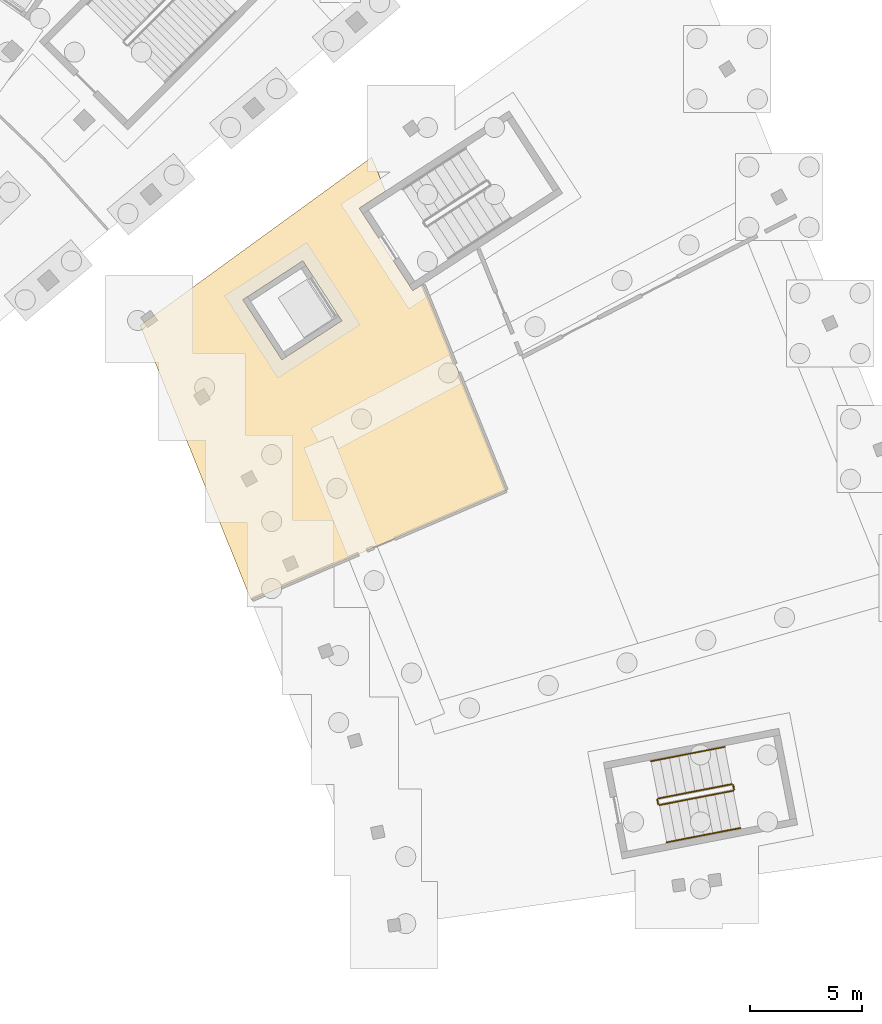
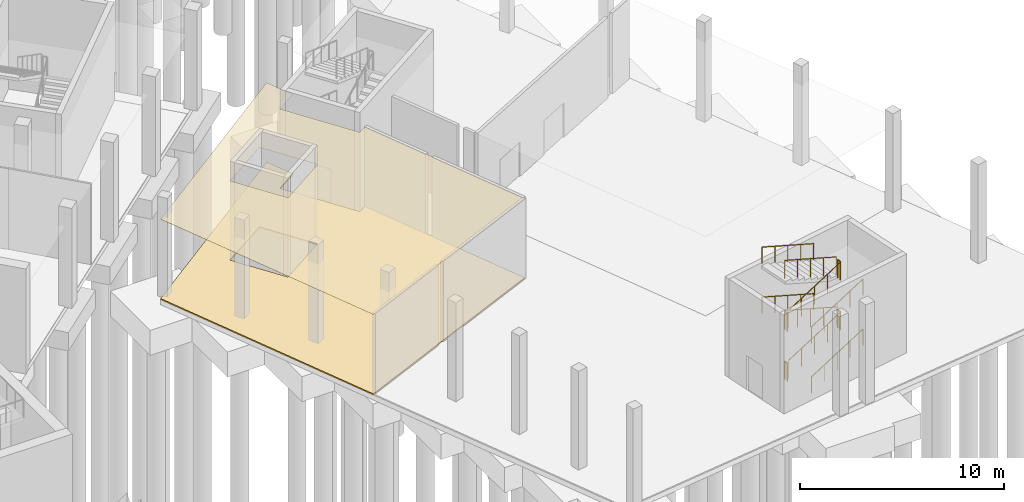
# One storey, part 56 of 66: 12 railings, 2 coverings.
"""IFC4 building model written with IfcOpenShell, lengths in metres."""

import ifcopenshell
import ifcopenshell.guid

model = None  # the IFC model being written
_history = None  # IfcOwnerHistory: only IFC2X3 demands one
_inside = {}  # id of a spatial element -> (the spatial element, [elements in it])
_under = {}  # id of a project, library or spatial element -> (it, [spatial elements below it])
_declared = {}  # id of a project -> (the project, [libraries it declares])
_typed = {}  # id of a type object -> (the type object, [elements of that type])
_made_of = {}  # id of a material, layer set ... -> (it, [elements and type objects made of it])


def new_model(schema):
    """Start an empty IFC model of exactly this schema.

    Asked for "IFC4X3", IfcOpenShell would pick the latest addendum, in which some entities
    have other attributes; the version numbers below select the first issue.
    IFC2X3 requires an IfcOwnerHistory on every rooted entity: one is made here for all.
    """
    global model, _history
    if schema == "IFC4X3":
        model = ifcopenshell.file(schema_version=(4, 3, 0, 0))
    else:
        model = ifcopenshell.file(schema=schema)
    _inside.clear()
    _under.clear()
    _declared.clear()
    _typed.clear()
    _made_of.clear()
    _history = None
    if model.schema == "IFC2X3":
        org = make("IfcOrganization", Name="unknown")
        user = make(
            "IfcPersonAndOrganization",
            ThePerson=make("IfcPerson", FamilyName="unknown"),
            TheOrganization=org,
        )
        app = make(
            "IfcApplication",
            ApplicationDeveloper=org,
            Version="unknown",
            ApplicationFullName="unknown",
            ApplicationIdentifier="unknown",
        )
        _history = make(
            "IfcOwnerHistory",
            OwningUser=user,
            OwningApplication=app,
            ChangeAction="ADDED",
            CreationDate=0,
        )
    return model


def make(cls, **values):
    """One entity of the class cls with the attributes given. An attribute that is None is left unset."""
    return model.create_entity(
        cls, **{name: value for name, value in values.items() if value is not None}
    )


def rooted(cls, **values):
    """An entity with a GlobalId (a new one), such as an element, a storey or a relation."""
    return make(cls, GlobalId=ifcopenshell.guid.new(), OwnerHistory=_history, **values)


def si_unit(unit_type, name, prefix=None):
    """IfcSIUnit, for example si_unit("LENGTHUNIT", "METRE", prefix="MILLI")."""
    return make("IfcSIUnit", UnitType=unit_type, Prefix=prefix, Name=name)


def assignment(units):
    """IfcUnitAssignment: the units of a project."""
    return None if units is None else make("IfcUnitAssignment", Units=units)


def point(xyz):
    """IfcCartesianPoint."""
    return None if xyz is None else make("IfcCartesianPoint", Coordinates=xyz)


def direction(xyz):
    """IfcDirection."""
    return None if xyz is None else make("IfcDirection", DirectionRatios=xyz)


def frame(location, z_axis=None, x_axis=None):
    """IfcAxis2Placement3D, a coordinate frame: its origin and axes. An axis left out is left unset."""
    return make(
        "IfcAxis2Placement3D",
        Location=point(location),
        Axis=direction(z_axis),
        RefDirection=direction(x_axis),
    )


def frame_2d(location, x_axis=None):
    """IfcAxis2Placement2D, a coordinate frame in the plane: its origin and x axis."""
    return make(
        "IfcAxis2Placement2D", Location=point(location), RefDirection=direction(x_axis)
    )


def origin():
    """The frame at (0, 0, 0) with its axes left unset."""
    return frame((0.0, 0.0, 0.0))


def origin_2d():
    """The frame at (0, 0) in the plane with its x axis left unset."""
    return frame_2d((0.0, 0.0))


def place(relative_to, where):
    """IfcLocalPlacement: puts the frame where relative to a parent placement (None: the world)."""
    return make(
        "IfcLocalPlacement", PlacementRelTo=relative_to, RelativePlacement=where
    )


def context(
    kind, dimensions, precision=None, world=None, true_north=None, identifier=None
):
    """IfcGeometricRepresentationContext, for example the 3D "Model" context."""
    return make(
        "IfcGeometricRepresentationContext",
        ContextIdentifier=identifier,
        ContextType=kind,
        CoordinateSpaceDimension=dimensions,
        Precision=precision,
        WorldCoordinateSystem=world,
        TrueNorth=true_north,
    )


def subcontext(parent, identifier, kind, view, scale=None):
    """IfcGeometricRepresentationSubContext, for example "Body" below "Model"."""
    return make(
        "IfcGeometricRepresentationSubContext",
        ContextIdentifier=identifier,
        ContextType=kind,
        ParentContext=parent,
        TargetScale=scale,
        TargetView=view,
    )


def project(units=None, contexts=None):
    """IfcProject with its units and contexts."""
    return rooted(
        "IfcProject",
        Name="project",
        RepresentationContexts=contexts,
        UnitsInContext=assignment(units),
    )


def spatial(cls, under=None, at=None, **own):
    """A site, building, storey or space (cls), placed at a placement, below another one or the project."""
    s = rooted(cls, ObjectPlacement=at, **own)
    if under is not None:
        _under.setdefault(under.id(), (under, []))[1].append(s)
    return s


def polyline(points):
    """IfcPolyline through the points."""
    return make("IfcPolyline", Points=[point(p) for p in points])


def profile(cls, at=None, kind="AREA", **sizes):
    """A parametric profile (cls). Its sizes go by their IFC names, for example OverallWidth=200.0."""
    return make(cls, ProfileType=kind, Position=at, **sizes)


def circle(**sizes):
    """IfcCircleProfileDef."""
    return profile("IfcCircleProfileDef", **sizes)


def outline(outer, holes=None, kind="AREA"):
    """IfcArbitraryClosedProfileDef: a profile drawn as a closed curve; with holes, ...WithVoids."""
    if holes is None:
        return make("IfcArbitraryClosedProfileDef", ProfileType=kind, OuterCurve=outer)
    return make(
        "IfcArbitraryProfileDefWithVoids",
        ProfileType=kind,
        OuterCurve=outer,
        InnerCurves=holes,
    )


def extrude(swept, where, along, depth):
    """IfcExtrudedAreaSolid: the profile swept, set in the frame where, extruded along a direction by depth."""
    return make(
        "IfcExtrudedAreaSolid",
        SweptArea=swept,
        Position=where,
        ExtrudedDirection=direction(along),
        Depth=depth,
    )


def shape(context_of_items, identifier, shape_type, items):
    """IfcShapeRepresentation: the items that make up one representation, for example the "Body"."""
    return make(
        "IfcShapeRepresentation",
        ContextOfItems=context_of_items,
        RepresentationIdentifier=identifier,
        RepresentationType=shape_type,
        Items=items,
    )


def material(Name=None, Category=None):
    """IfcMaterial."""
    return make("IfcMaterial", Name=Name, Category=Category)


def layer(
    of_material, thickness, ventilated=None, Name=None, Category=None, Priority=None
):
    """IfcMaterialLayer: one layer of a wall or slab, of a material (None: an air gap)."""
    return make(
        "IfcMaterialLayer",
        Material=of_material,
        LayerThickness=thickness,
        IsVentilated=ventilated,
        Name=Name,
        Category=Category,
        Priority=Priority,
    )


def layer_set(layers, Name=None):
    """IfcMaterialLayerSet."""
    return make("IfcMaterialLayerSet", MaterialLayers=layers, LayerSetName=Name)


def made_of(thing, what):
    """Note that an element or type object is made of a material, layer set ...; save() writes the relation."""
    if what is not None:
        _made_of.setdefault(what.id(), (what, []))[1].append(thing)
    return thing


def type_object(cls, material=None, **own):
    """A type object (cls), such as IfcWallType, which elements share."""
    return made_of(rooted(cls, **own), material)


def element(
    cls,
    number,
    at=None,
    inside=None,
    cuts=None,
    type_object=None,
    material=None,
    context=None,
    identifier="Body",
    shape_type=None,
    held_by="IfcProductDefinitionShape",
    body=None,
    shapes=None,
    **own,
):
    """One element of the class cls, such as IfcWall. Its Tag is "e" and its number.

    at: its placement. inside: the storey or other place that contains it. cuts: it is an
    opening in that element (IfcRelVoidsElement). A single representation is given by context,
    identifier, shape_type and body (its items); several are given by shapes. held_by: the class
    of the entity that holds the representations. save() writes the other relations.
    """
    e = rooted(cls, Tag="e%d" % number, ObjectPlacement=at, **own)
    if body is not None:
        shapes = [shape(context, identifier, shape_type, body)]
    if shapes is not None:
        e.Representation = make(held_by, Representations=shapes)
    if inside is not None:
        _inside.setdefault(inside.id(), (inside, []))[1].append(e)
    if cuts is not None:
        rooted(
            "IfcRelVoidsElement", RelatingBuildingElement=cuts, RelatedOpeningElement=e
        )
    if type_object is not None:
        _typed.setdefault(type_object.id(), (type_object, []))[1].append(e)
    return made_of(e, material)


def aggregate(whole, parts):
    """IfcRelAggregates: a whole, such as a stair, and the parts it consists of."""
    return rooted("IfcRelAggregates", RelatingObject=whole, RelatedObjects=parts)


def save(model, path):
    """Write the relations noted so far, then the file.

    IfcRelAggregates (storeys below a building ...), IfcRelContainedInSpatialStructure (elements
    in a storey), IfcRelDefinesByType, IfcRelAssociatesMaterial and IfcRelDeclares: one each for
    every whole, place, type object, material and project.
    """
    for whole, parts in _under.values():
        aggregate(whole, parts)
    for where, things in _inside.values():
        rooted(
            "IfcRelContainedInSpatialStructure",
            RelatedElements=things,
            RelatingStructure=where,
        )
    for kind, things in _typed.values():
        rooted("IfcRelDefinesByType", RelatedObjects=things, RelatingType=kind)
    for what, things in _made_of.values():
        rooted("IfcRelAssociatesMaterial", RelatedObjects=things, RelatingMaterial=what)
    for by, libraries in _declared.values():
        rooted("IfcRelDeclares", RelatingContext=by, RelatedDefinitions=libraries)
    model.write(path)


model = new_model("IFC4")

# Units and contexts
model_context = context("Model", 3, precision=1e-05, world=origin(), true_north=direction((0.0, 1.0)))
body_context = subcontext(model_context, "Body", "Model", "MODEL_VIEW")
ifc_project = project(units=[si_unit("LENGTHUNIT", "METRE"), si_unit("AREAUNIT", "SQUARE_METRE"), si_unit("VOLUMEUNIT", "CUBIC_METRE"), si_unit("PLANEANGLEUNIT", "RADIAN"), si_unit("MASSUNIT", "GRAM", prefix="KILO")], contexts=[model_context])

# Site, building, storey
site_placement = place(None, origin())
site = spatial("IfcSite", under=ifc_project, at=site_placement, CompositionType="ELEMENT")
building_placement = place(site_placement, origin())
building = spatial("IfcBuilding", under=site, at=building_placement, Name="Lunette Opera House", CompositionType="ELEMENT")
storey_placement = place(building_placement, frame((0.0, 0.0, -6.0)))
storey = spatial("IfcBuildingStorey", under=building, at=storey_placement, Name="B1", CompositionType="ELEMENT", Elevation=-6.0)

# Covering
ifc_material_1 = material(Name="Cement screed")
ifc_layer_1 = layer(ifc_material_1, 0.070068359375)
ifc_layer_set_1 = layer_set([ifc_layer_1], Name="Cement screed")
covering_type_1 = type_object("IfcCoveringType", Name="SCREED FLOOR FINISH 70", PredefinedType="FLOORING", material=ifc_layer_set_1)
covering_1_placement = place(storey_placement, origin())
element("IfcCovering", 1, at=covering_1_placement, inside=storey, type_object=covering_type_1, Name="Floor finish Studio Plant Room", PredefinedType="FLOORING", context=body_context, shape_type="SweptSolid", body=[
    extrude(outline(polyline([(154.908935546875, 42.800048828125), (155.52392578125, 41.278076171875), (154.346923828125, 40.513916015625), (156.743896484375, 36.823974609375), (157.202880859375, 37.1220703125), (160.93798828125, 27.8759765625), (149.509033203125, 22.969970703125), (144.541015625, 35.26708984375), (154.908935546875, 42.800048828125)]), holes=[polyline([(153.56591796875, 35.47607421875), (151.822998046875, 38.158935546875), (149.138916015625, 36.4169921875), (150.882080078125, 33.73291015625), (153.56591796875, 35.47607421875)])]), origin(), (0.0, 0.0, 1.0), 0.070068359375),
])

# Railings
ifc_material_2 = material(Name="Steel S355", Category="steel")
railing_type_1 = type_object("IfcRailingType", Name="STAIR GUARD 1100", PredefinedType="GUARDRAIL", material=ifc_material_2)
railing_1_placement = place(storey_placement, frame((167.785400390625, 13.801025390625, 0.166748046875)))
element("IfcRailing", 2, at=railing_1_placement, inside=storey, type_object=railing_type_1, Name="B1 ST22 stair guard 1", PredefinedType="GUARDRAIL", context=body_context, shape_type="SweptSolid", body=[
    extrude(circle(Radius=0.02392578125, at=origin_2d()), frame((0.0, 0.0, 1.076171875), z_axis=(0.912435432741, 0.177286677346, 0.368823826662), x_axis=(-0.19073352033, 0.981641851299, 0.0)), (0.0, 0.0, 1.0), 3.614990234375),
    extrude(circle(Radius=0.02099609375, at=origin_2d()), origin(), (0.0, 0.0, 1.0), 1.052001953125),
    extrude(circle(Radius=0.02099609375, at=origin_2d()), frame((0.82470703125, 0.16015625, 0.333251953125)), (0.0, 0.0, 1.0), 1.052001953125),
    extrude(circle(Radius=0.02099609375, at=origin_2d()), frame((1.649169921875, 0.3203125, 0.66650390625)), (0.0, 0.0, 1.0), 1.052001953125),
    extrude(circle(Radius=0.02099609375, at=origin_2d()), frame((2.4736328125, 0.480712890625, 1.0)), (0.0, 0.0, 1.0), 1.052001953125),
    extrude(circle(Radius=0.02099609375, at=origin_2d()), frame((3.29833984375, 0.640869140625, 1.333251953125)), (0.0, 0.0, 1.0), 1.052001953125),
])
railing_2_placement = place(storey_placement, frame((171.123291015625, 14.50048828125, 1.5)))
element("IfcRailing", 3, at=railing_2_placement, inside=storey, type_object=railing_type_1, Name="B1 ST22 stair guard 2", PredefinedType="GUARDRAIL", context=body_context, shape_type="SweptSolid", body=[
    extrude(circle(Radius=0.02392578125, at=origin_2d()), frame((0.0, 0.0, 1.076171875), z_axis=(-0.190706053889, 0.981647187644, 0.0), x_axis=(-0.981647187644, -0.190706053889, 0.0)), (0.0, 0.0, 1.0), 0.19970703125),
    extrude(circle(Radius=0.02099609375, at=origin_2d()), origin(), (0.0, 0.0, 1.0), 1.052001953125),
    extrude(circle(Radius=0.02099609375, at=origin_2d()), frame((-0.0380859375, 0.196044921875, 0.0)), (0.0, 0.0, 1.0), 1.052001953125),
])
railing_3_placement = place(storey_placement, frame((171.026611328125, 14.736083984375, 1.666748046875)))
element("IfcRailing", 4, at=railing_3_placement, inside=storey, type_object=railing_type_1, Name="B1 ST22 stair guard 3", PredefinedType="GUARDRAIL", context=body_context, shape_type="SweptSolid", body=[
    extrude(circle(Radius=0.02392578125, at=origin_2d()), frame((0.0, 0.0, 1.076171875), z_axis=(-0.912435432741, -0.177286677346, 0.368823826662), x_axis=(0.19073352033, -0.981641851299, 0.0)), (0.0, 0.0, 1.0), 3.614990234375),
    extrude(circle(Radius=0.02099609375, at=origin_2d()), origin(), (0.0, 0.0, 1.0), 1.052001953125),
    extrude(circle(Radius=0.02099609375, at=origin_2d()), frame((-0.82470703125, -0.16015625, 0.333251953125)), (0.0, 0.0, 1.0), 1.052001953125),
    extrude(circle(Radius=0.02099609375, at=origin_2d()), frame((-1.649169921875, -0.3203125, 0.66650390625)), (0.0, 0.0, 1.0), 1.052001953125),
    extrude(circle(Radius=0.02099609375, at=origin_2d()), frame((-2.4736328125, -0.480712890625, 1.0)), (0.0, 0.0, 1.0), 1.052001953125),
    extrude(circle(Radius=0.02099609375, at=origin_2d()), frame((-3.29833984375, -0.640869140625, 1.333251953125)), (0.0, 0.0, 1.0), 1.052001953125),
])
railing_4_placement = place(storey_placement, frame((167.726806640625, 13.840576171875, 3.0)))
element("IfcRailing", 5, at=railing_4_placement, inside=storey, type_object=railing_type_1, Name="B1 ST22 stair guard 4", PredefinedType="GUARDRAIL", context=body_context, shape_type="SweptSolid", body=[
    extrude(circle(Radius=0.02392578125, at=origin_2d()), frame((0.0, 0.0, 1.076171875), z_axis=(-0.190706053889, 0.981647187644, 0.0), x_axis=(-0.981647187644, -0.190706053889, 0.0)), (0.0, 0.0, 1.0), 0.19970703125),
    extrude(circle(Radius=0.02099609375, at=origin_2d()), origin(), (0.0, 0.0, 1.0), 1.052001953125),
    extrude(circle(Radius=0.02099609375, at=origin_2d()), frame((-0.0380859375, 0.196044921875, 0.0)), (0.0, 0.0, 1.0), 1.052001953125),
])
railing_5_placement = place(storey_placement, frame((167.785400390625, 13.801025390625, 3.166748046875)))
element("IfcRailing", 6, at=railing_5_placement, inside=storey, type_object=railing_type_1, Name="B1 ST22 stair guard 5", PredefinedType="GUARDRAIL", context=body_context, shape_type="SweptSolid", body=[
    extrude(circle(Radius=0.02392578125, at=origin_2d()), frame((0.0, 0.0, 1.076171875), z_axis=(0.912435432741, 0.177286677346, 0.368823826662), x_axis=(-0.19073352033, 0.981641851299, 0.0)), (0.0, 0.0, 1.0), 3.614990234375),
    extrude(circle(Radius=0.02099609375, at=origin_2d()), origin(), (0.0, 0.0, 1.0), 1.052001953125),
    extrude(circle(Radius=0.02099609375, at=origin_2d()), frame((0.82470703125, 0.16015625, 0.333251953125)), (0.0, 0.0, 1.0), 1.052001953125),
    extrude(circle(Radius=0.02099609375, at=origin_2d()), frame((1.649169921875, 0.3203125, 0.66650390625)), (0.0, 0.0, 1.0), 1.052001953125),
    extrude(circle(Radius=0.02099609375, at=origin_2d()), frame((2.4736328125, 0.480712890625, 1.0)), (0.0, 0.0, 1.0), 1.052001953125),
    extrude(circle(Radius=0.02099609375, at=origin_2d()), frame((3.29833984375, 0.640869140625, 1.333251953125)), (0.0, 0.0, 1.0), 1.052001953125),
])
railing_6_placement = place(storey_placement, frame((171.123291015625, 14.50048828125, 4.5)))
element("IfcRailing", 7, at=railing_6_placement, inside=storey, type_object=railing_type_1, Name="B1 ST22 stair guard 6", PredefinedType="GUARDRAIL", context=body_context, shape_type="SweptSolid", body=[
    extrude(circle(Radius=0.02392578125, at=origin_2d()), frame((0.0, 0.0, 1.076171875), z_axis=(-0.190706053889, 0.981647187644, 0.0), x_axis=(-0.981647187644, -0.190706053889, 0.0)), (0.0, 0.0, 1.0), 0.19970703125),
    extrude(circle(Radius=0.02099609375, at=origin_2d()), origin(), (0.0, 0.0, 1.0), 1.052001953125),
    extrude(circle(Radius=0.02099609375, at=origin_2d()), frame((-0.0380859375, 0.196044921875, 0.0)), (0.0, 0.0, 1.0), 1.052001953125),
])
railing_7_placement = place(storey_placement, frame((171.026611328125, 14.736083984375, 4.666748046875)))
element("IfcRailing", 8, at=railing_7_placement, inside=storey, type_object=railing_type_1, Name="B1 ST22 stair guard 7", PredefinedType="GUARDRAIL", context=body_context, shape_type="SweptSolid", body=[
    extrude(circle(Radius=0.02392578125, at=origin_2d()), frame((0.0, 0.0, 1.076171875), z_axis=(-0.912435432741, -0.177286677346, 0.368823826662), x_axis=(0.19073352033, -0.981641851299, 0.0)), (0.0, 0.0, 1.0), 3.614990234375),
    extrude(circle(Radius=0.02099609375, at=origin_2d()), origin(), (0.0, 0.0, 1.0), 1.052001953125),
    extrude(circle(Radius=0.02099609375, at=origin_2d()), frame((-0.82470703125, -0.16015625, 0.333251953125)), (0.0, 0.0, 1.0), 1.052001953125),
    extrude(circle(Radius=0.02099609375, at=origin_2d()), frame((-1.649169921875, -0.3203125, 0.66650390625)), (0.0, 0.0, 1.0), 1.052001953125),
    extrude(circle(Radius=0.02099609375, at=origin_2d()), frame((-2.4736328125, -0.480712890625, 1.0)), (0.0, 0.0, 1.0), 1.052001953125),
    extrude(circle(Radius=0.02099609375, at=origin_2d()), frame((-3.29833984375, -0.640869140625, 1.333251953125)), (0.0, 0.0, 1.0), 1.052001953125),
])
railing_8_placement = place(storey_placement, frame((167.726806640625, 13.840576171875, 0.0)))
element("IfcRailing", 9, at=railing_8_placement, inside=storey, type_object=railing_type_1, Name="B1 ST22 stair guard 8", PredefinedType="GUARDRAIL", context=body_context, shape_type="SweptSolid", body=[
    extrude(circle(Radius=0.02392578125, at=origin_2d()), frame((0.0, 0.0, 1.076171875), z_axis=(-0.190706053889, 0.981647187644, 0.0), x_axis=(-0.981647187644, -0.190706053889, 0.0)), (0.0, 0.0, 1.0), 0.19970703125),
    extrude(circle(Radius=0.02099609375, at=origin_2d()), origin(), (0.0, 0.0, 1.0), 1.052001953125),
    extrude(circle(Radius=0.02099609375, at=origin_2d()), frame((-0.0380859375, 0.196044921875, 0.0)), (0.0, 0.0, 1.0), 1.052001953125),
])
ifc_material_3 = material(Name="Steel S355", Category="steel")
railing_type_2 = type_object("IfcRailingType", Name="STAIR HANDRAIL 1000", PredefinedType="HANDRAIL", material=ifc_material_3)
railing_9_placement = place(storey_placement, frame((168.109619140625, 12.132080078125, 0.166748046875)))
element("IfcRailing", 10, at=railing_9_placement, inside=storey, type_object=railing_type_2, Name="B1 ST22 stair handrail 1", PredefinedType="HANDRAIL", context=body_context, shape_type="SweptSolid", body=[
    extrude(circle(Radius=0.02392578125, at=origin_2d()), frame((0.0, 0.0, 0.97607421875), z_axis=(0.912424505766, 0.177352091202, 0.36881940977), x_axis=(-0.190803535931, 0.981628244641, 0.0)), (0.0, 0.0, 1.0), 3.614990234375),
    extrude(circle(Radius=0.02099609375, at=origin_2d()), origin(), (0.0, 0.0, 1.0), 0.951904296875),
    extrude(circle(Radius=0.02099609375, at=origin_2d()), frame((0.82470703125, 0.16015625, 0.333251953125)), (0.0, 0.0, 1.0), 0.951904296875),
    extrude(circle(Radius=0.02099609375, at=origin_2d()), frame((1.649169921875, 0.320556640625, 0.66650390625)), (0.0, 0.0, 1.0), 0.951904296875),
    extrude(circle(Radius=0.02099609375, at=origin_2d()), frame((2.4736328125, 0.48095703125, 1.0)), (0.0, 0.0, 1.0), 0.951904296875),
    extrude(circle(Radius=0.02099609375, at=origin_2d()), frame((3.29833984375, 0.64111328125, 1.333251953125)), (0.0, 0.0, 1.0), 0.951904296875),
])
railing_10_placement = place(storey_placement, frame((170.7021484375, 16.40478515625, 1.666748046875)))
element("IfcRailing", 11, at=railing_10_placement, inside=storey, type_object=railing_type_2, Name="B1 ST22 stair handrail 2", PredefinedType="HANDRAIL", context=body_context, shape_type="SweptSolid", body=[
    extrude(circle(Radius=0.02392578125, at=origin_2d()), frame((0.0, 0.0, 0.97607421875), z_axis=(-0.912424121712, -0.177297603042, 0.368846556271), x_axis=(0.190747125633, -0.981639207684, 0.0)), (0.0, 0.0, 1.0), 3.61474609375),
    extrude(circle(Radius=0.02099609375, at=origin_2d()), origin(), (0.0, 0.0, 1.0), 0.951904296875),
    extrude(circle(Radius=0.02099609375, at=origin_2d()), frame((-0.824462890625, -0.16015625, 0.333251953125)), (0.0, 0.0, 1.0), 0.951904296875),
    extrude(circle(Radius=0.02099609375, at=origin_2d()), frame((-1.64892578125, -0.3203125, 0.66650390625)), (0.0, 0.0, 1.0), 0.951904296875),
    extrude(circle(Radius=0.02099609375, at=origin_2d()), frame((-2.4736328125, -0.480712890625, 1.0)), (0.0, 0.0, 1.0), 0.951904296875),
    extrude(circle(Radius=0.02099609375, at=origin_2d()), frame((-3.298095703125, -0.640869140625, 1.333251953125)), (0.0, 0.0, 1.0), 0.951904296875),
])
railing_11_placement = place(storey_placement, frame((168.109619140625, 12.132080078125, 3.166748046875)))
element("IfcRailing", 12, at=railing_11_placement, inside=storey, type_object=railing_type_2, Name="B1 ST22 stair handrail 3", PredefinedType="HANDRAIL", context=body_context, shape_type="SweptSolid", body=[
    extrude(circle(Radius=0.02392578125, at=origin_2d()), frame((0.0, 0.0, 0.97607421875), z_axis=(0.912424505766, 0.177352091202, 0.36881940977), x_axis=(-0.190803535931, 0.981628244641, 0.0)), (0.0, 0.0, 1.0), 3.614990234375),
    extrude(circle(Radius=0.02099609375, at=origin_2d()), origin(), (0.0, 0.0, 1.0), 0.951904296875),
    extrude(circle(Radius=0.02099609375, at=origin_2d()), frame((0.82470703125, 0.16015625, 0.333251953125)), (0.0, 0.0, 1.0), 0.951904296875),
    extrude(circle(Radius=0.02099609375, at=origin_2d()), frame((1.649169921875, 0.320556640625, 0.66650390625)), (0.0, 0.0, 1.0), 0.951904296875),
    extrude(circle(Radius=0.02099609375, at=origin_2d()), frame((2.4736328125, 0.48095703125, 1.0)), (0.0, 0.0, 1.0), 0.951904296875),
    extrude(circle(Radius=0.02099609375, at=origin_2d()), frame((3.29833984375, 0.64111328125, 1.333251953125)), (0.0, 0.0, 1.0), 0.951904296875),
])
railing_12_placement = place(storey_placement, frame((170.7021484375, 16.40478515625, 4.666748046875)))
element("IfcRailing", 13, at=railing_12_placement, inside=storey, type_object=railing_type_2, Name="B1 ST22 stair handrail 4", PredefinedType="HANDRAIL", context=body_context, shape_type="SweptSolid", body=[
    extrude(circle(Radius=0.02392578125, at=origin_2d()), frame((0.0, 0.0, 0.97607421875), z_axis=(-0.912424121712, -0.177297603042, 0.368846556271), x_axis=(0.190747125633, -0.981639207684, 0.0)), (0.0, 0.0, 1.0), 3.61474609375),
    extrude(circle(Radius=0.02099609375, at=origin_2d()), origin(), (0.0, 0.0, 1.0), 0.951904296875),
    extrude(circle(Radius=0.02099609375, at=origin_2d()), frame((-0.824462890625, -0.16015625, 0.333251953125)), (0.0, 0.0, 1.0), 0.951904296875),
    extrude(circle(Radius=0.02099609375, at=origin_2d()), frame((-1.64892578125, -0.3203125, 0.66650390625)), (0.0, 0.0, 1.0), 0.951904296875),
    extrude(circle(Radius=0.02099609375, at=origin_2d()), frame((-2.4736328125, -0.480712890625, 1.0)), (0.0, 0.0, 1.0), 0.951904296875),
    extrude(circle(Radius=0.02099609375, at=origin_2d()), frame((-3.298095703125, -0.640869140625, 1.333251953125)), (0.0, 0.0, 1.0), 0.951904296875),
])

# Covering
ifc_material_4 = material(Name="Mineral fibre board")
ifc_layer_2 = layer(ifc_material_4, 0.014892578125)
ifc_layer_set_2 = layer_set([ifc_layer_2], Name="Mineral fibre board")
covering_type_2 = type_object("IfcCoveringType", Name="SUSPENDED ACOUSTIC CEILING 15", PredefinedType="CEILING", material=ifc_layer_set_2)
covering_2_placement = place(storey_placement, frame((0.0, 0.0, 4.81494140625)))
element("IfcCovering", 14, at=covering_2_placement, inside=storey, type_object=covering_type_2, Name="Ceiling Studio Plant Room", PredefinedType="CEILING", context=body_context, shape_type="SweptSolid", body=[
    extrude(outline(polyline([(154.908935546875, 42.800048828125), (155.52392578125, 41.278076171875), (154.346923828125, 40.513916015625), (156.743896484375, 36.823974609375), (157.202880859375, 37.1220703125), (160.93798828125, 27.8759765625), (149.509033203125, 22.969970703125), (144.541015625, 35.26708984375), (154.908935546875, 42.800048828125)]), holes=[polyline([(153.56591796875, 35.47607421875), (151.822998046875, 38.158935546875), (149.138916015625, 36.4169921875), (150.882080078125, 33.73291015625), (153.56591796875, 35.47607421875)])]), origin(), (0.0, 0.0, 1.0), 0.01513671875),
])

save(model, "model.ifc")
